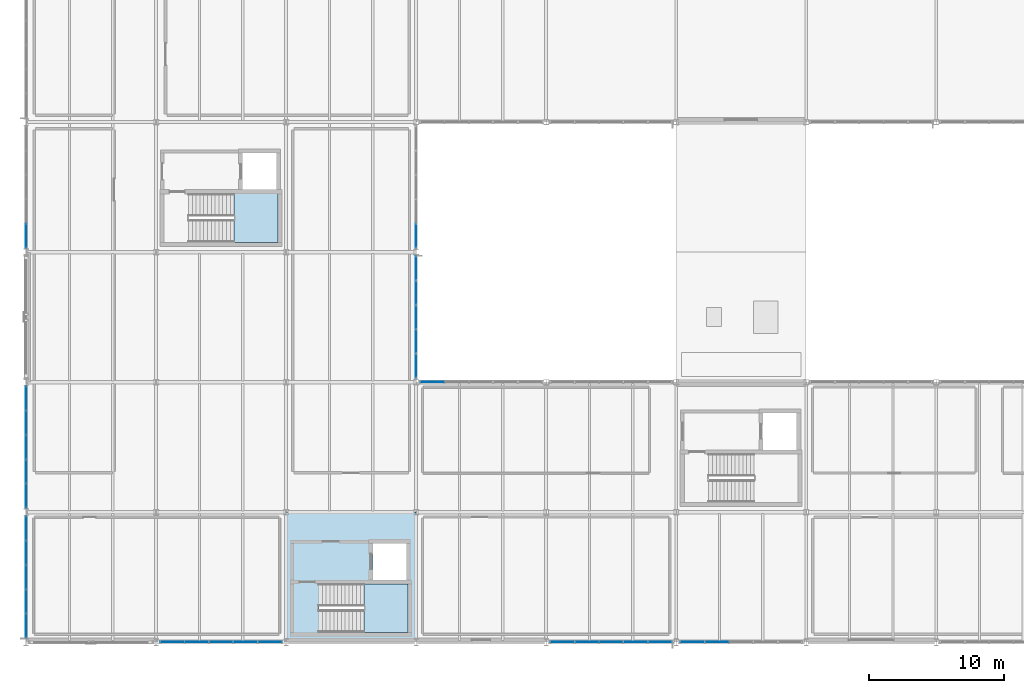
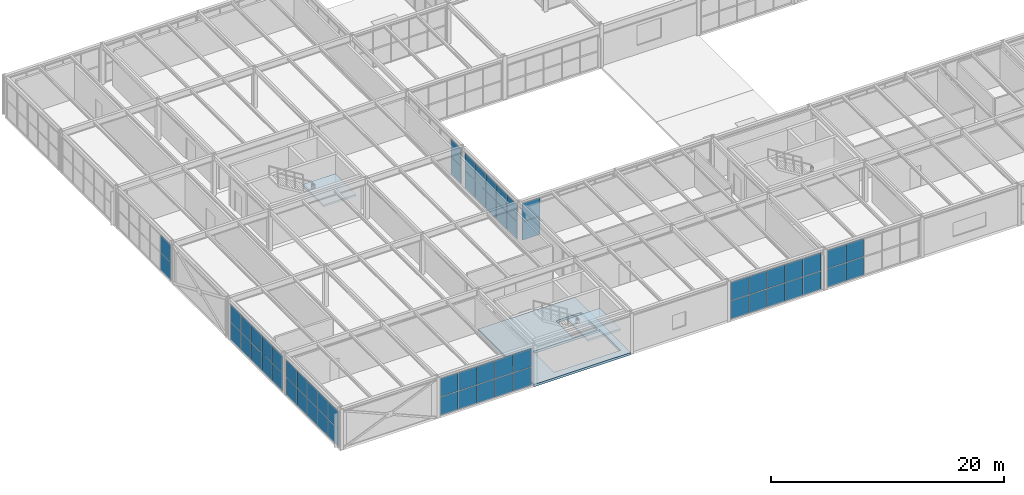
# One storey, part 131 of 170: 60 plates, 3 slabs, 11 elements without a shape of their own.
"""IFC4 building model written with IfcOpenShell, lengths in metres."""

import ifcopenshell
import ifcopenshell.guid

model = None  # the IFC model being written
_history = None  # IfcOwnerHistory: only IFC2X3 demands one
_inside = {}  # id of a spatial element -> (the spatial element, [elements in it])
_under = {}  # id of a project, library or spatial element -> (it, [spatial elements below it])
_declared = {}  # id of a project -> (the project, [libraries it declares])
_typed = {}  # id of a type object -> (the type object, [elements of that type])
_made_of = {}  # id of a material, layer set ... -> (it, [elements and type objects made of it])


def new_model(schema):
    """Start an empty IFC model of exactly this schema.

    Asked for "IFC4X3", IfcOpenShell would pick the latest addendum, in which some entities
    have other attributes; the version numbers below select the first issue.
    IFC2X3 requires an IfcOwnerHistory on every rooted entity: one is made here for all.
    """
    global model, _history
    if schema == "IFC4X3":
        model = ifcopenshell.file(schema_version=(4, 3, 0, 0))
    else:
        model = ifcopenshell.file(schema=schema)
    _inside.clear()
    _under.clear()
    _declared.clear()
    _typed.clear()
    _made_of.clear()
    _history = None
    if model.schema == "IFC2X3":
        org = make("IfcOrganization", Name="unknown")
        user = make(
            "IfcPersonAndOrganization",
            ThePerson=make("IfcPerson", FamilyName="unknown"),
            TheOrganization=org,
        )
        app = make(
            "IfcApplication",
            ApplicationDeveloper=org,
            Version="unknown",
            ApplicationFullName="unknown",
            ApplicationIdentifier="unknown",
        )
        _history = make(
            "IfcOwnerHistory",
            OwningUser=user,
            OwningApplication=app,
            ChangeAction="ADDED",
            CreationDate=0,
        )
    return model


def make(cls, **values):
    """One entity of the class cls with the attributes given. An attribute that is None is left unset."""
    return model.create_entity(
        cls, **{name: value for name, value in values.items() if value is not None}
    )


def rooted(cls, **values):
    """An entity with a GlobalId (a new one), such as an element, a storey or a relation."""
    return make(cls, GlobalId=ifcopenshell.guid.new(), OwnerHistory=_history, **values)


def si_unit(unit_type, name, prefix=None):
    """IfcSIUnit, for example si_unit("LENGTHUNIT", "METRE", prefix="MILLI")."""
    return make("IfcSIUnit", UnitType=unit_type, Prefix=prefix, Name=name)


def assignment(units):
    """IfcUnitAssignment: the units of a project."""
    return None if units is None else make("IfcUnitAssignment", Units=units)


def point(xyz):
    """IfcCartesianPoint."""
    return None if xyz is None else make("IfcCartesianPoint", Coordinates=xyz)


def direction(xyz):
    """IfcDirection."""
    return None if xyz is None else make("IfcDirection", DirectionRatios=xyz)


def frame(location, z_axis=None, x_axis=None):
    """IfcAxis2Placement3D, a coordinate frame: its origin and axes. An axis left out is left unset."""
    return make(
        "IfcAxis2Placement3D",
        Location=point(location),
        Axis=direction(z_axis),
        RefDirection=direction(x_axis),
    )


def frame_2d(location, x_axis=None):
    """IfcAxis2Placement2D, a coordinate frame in the plane: its origin and x axis."""
    return make(
        "IfcAxis2Placement2D", Location=point(location), RefDirection=direction(x_axis)
    )


def origin():
    """The frame at (0, 0, 0) with its axes left unset."""
    return frame((0.0, 0.0, 0.0))


def origin_2d():
    """The frame at (0, 0) in the plane with its x axis left unset."""
    return frame_2d((0.0, 0.0))


def place(relative_to, where):
    """IfcLocalPlacement: puts the frame where relative to a parent placement (None: the world)."""
    return make(
        "IfcLocalPlacement", PlacementRelTo=relative_to, RelativePlacement=where
    )


def context(
    kind, dimensions, precision=None, world=None, true_north=None, identifier=None
):
    """IfcGeometricRepresentationContext, for example the 3D "Model" context."""
    return make(
        "IfcGeometricRepresentationContext",
        ContextIdentifier=identifier,
        ContextType=kind,
        CoordinateSpaceDimension=dimensions,
        Precision=precision,
        WorldCoordinateSystem=world,
        TrueNorth=true_north,
    )


def subcontext(parent, identifier, kind, view, scale=None):
    """IfcGeometricRepresentationSubContext, for example "Body" below "Model"."""
    return make(
        "IfcGeometricRepresentationSubContext",
        ContextIdentifier=identifier,
        ContextType=kind,
        ParentContext=parent,
        TargetScale=scale,
        TargetView=view,
    )


def project(units=None, contexts=None):
    """IfcProject with its units and contexts."""
    return rooted(
        "IfcProject",
        Name="project",
        RepresentationContexts=contexts,
        UnitsInContext=assignment(units),
    )


def spatial(cls, under=None, at=None, **own):
    """A site, building, storey or space (cls), placed at a placement, below another one or the project."""
    s = rooted(cls, ObjectPlacement=at, **own)
    if under is not None:
        _under.setdefault(under.id(), (under, []))[1].append(s)
    return s


def polyline(points):
    """IfcPolyline through the points."""
    return make("IfcPolyline", Points=[point(p) for p in points])


def profile(cls, at=None, kind="AREA", **sizes):
    """A parametric profile (cls). Its sizes go by their IFC names, for example OverallWidth=200.0."""
    return make(cls, ProfileType=kind, Position=at, **sizes)


def rectangle(**sizes):
    """IfcRectangleProfileDef."""
    return profile("IfcRectangleProfileDef", **sizes)


def outline(outer, holes=None, kind="AREA"):
    """IfcArbitraryClosedProfileDef: a profile drawn as a closed curve; with holes, ...WithVoids."""
    if holes is None:
        return make("IfcArbitraryClosedProfileDef", ProfileType=kind, OuterCurve=outer)
    return make(
        "IfcArbitraryProfileDefWithVoids",
        ProfileType=kind,
        OuterCurve=outer,
        InnerCurves=holes,
    )


def extrude(swept, where, along, depth):
    """IfcExtrudedAreaSolid: the profile swept, set in the frame where, extruded along a direction by depth."""
    return make(
        "IfcExtrudedAreaSolid",
        SweptArea=swept,
        Position=where,
        ExtrudedDirection=direction(along),
        Depth=depth,
    )


def shape(context_of_items, identifier, shape_type, items):
    """IfcShapeRepresentation: the items that make up one representation, for example the "Body"."""
    return make(
        "IfcShapeRepresentation",
        ContextOfItems=context_of_items,
        RepresentationIdentifier=identifier,
        RepresentationType=shape_type,
        Items=items,
    )


def material(Name=None, Category=None):
    """IfcMaterial."""
    return make("IfcMaterial", Name=Name, Category=Category)


def layer(
    of_material, thickness, ventilated=None, Name=None, Category=None, Priority=None
):
    """IfcMaterialLayer: one layer of a wall or slab, of a material (None: an air gap)."""
    return make(
        "IfcMaterialLayer",
        Material=of_material,
        LayerThickness=thickness,
        IsVentilated=ventilated,
        Name=Name,
        Category=Category,
        Priority=Priority,
    )


def layer_set(layers, Name=None):
    """IfcMaterialLayerSet."""
    return make("IfcMaterialLayerSet", MaterialLayers=layers, LayerSetName=Name)


def made_of(thing, what):
    """Note that an element or type object is made of a material, layer set ...; save() writes the relation."""
    if what is not None:
        _made_of.setdefault(what.id(), (what, []))[1].append(thing)
    return thing


def type_object(cls, material=None, **own):
    """A type object (cls), such as IfcWallType, which elements share."""
    return made_of(rooted(cls, **own), material)


def element(
    cls,
    number,
    at=None,
    inside=None,
    cuts=None,
    type_object=None,
    material=None,
    context=None,
    identifier="Body",
    shape_type=None,
    held_by="IfcProductDefinitionShape",
    body=None,
    shapes=None,
    **own,
):
    """One element of the class cls, such as IfcWall. Its Tag is "e" and its number.

    at: its placement. inside: the storey or other place that contains it. cuts: it is an
    opening in that element (IfcRelVoidsElement). A single representation is given by context,
    identifier, shape_type and body (its items); several are given by shapes. held_by: the class
    of the entity that holds the representations. save() writes the other relations.
    """
    e = rooted(cls, Tag="e%d" % number, ObjectPlacement=at, **own)
    if body is not None:
        shapes = [shape(context, identifier, shape_type, body)]
    if shapes is not None:
        e.Representation = make(held_by, Representations=shapes)
    if inside is not None:
        _inside.setdefault(inside.id(), (inside, []))[1].append(e)
    if cuts is not None:
        rooted(
            "IfcRelVoidsElement", RelatingBuildingElement=cuts, RelatedOpeningElement=e
        )
    if type_object is not None:
        _typed.setdefault(type_object.id(), (type_object, []))[1].append(e)
    return made_of(e, material)


def aggregate(whole, parts):
    """IfcRelAggregates: a whole, such as a stair, and the parts it consists of."""
    return rooted("IfcRelAggregates", RelatingObject=whole, RelatedObjects=parts)


def save(model, path):
    """Write the relations noted so far, then the file.

    IfcRelAggregates (storeys below a building ...), IfcRelContainedInSpatialStructure (elements
    in a storey), IfcRelDefinesByType, IfcRelAssociatesMaterial and IfcRelDeclares: one each for
    every whole, place, type object, material and project.
    """
    for whole, parts in _under.values():
        aggregate(whole, parts)
    for where, things in _inside.values():
        rooted(
            "IfcRelContainedInSpatialStructure",
            RelatedElements=things,
            RelatingStructure=where,
        )
    for kind, things in _typed.values():
        rooted("IfcRelDefinesByType", RelatedObjects=things, RelatingType=kind)
    for what, things in _made_of.values():
        rooted("IfcRelAssociatesMaterial", RelatedObjects=things, RelatingMaterial=what)
    for by, libraries in _declared.values():
        rooted("IfcRelDeclares", RelatingContext=by, RelatedDefinitions=libraries)
    model.write(path)


model = new_model("IFC4")

# Units and contexts
model_context = context("Model", 3, precision=1e-05, world=origin(), true_north=direction((0.0, 1.0)))
body_context = subcontext(model_context, "Body", "Model", "MODEL_VIEW")
ifc_project = project(units=[si_unit("LENGTHUNIT", "METRE"), si_unit("AREAUNIT", "SQUARE_METRE"), si_unit("VOLUMEUNIT", "CUBIC_METRE"), si_unit("PLANEANGLEUNIT", "RADIAN"), si_unit("MASSUNIT", "GRAM", prefix="KILO")], contexts=[model_context])

# Site, building, storey
site_placement = place(None, origin())
site = spatial("IfcSite", under=ifc_project, at=site_placement, CompositionType="ELEMENT")
building_placement = place(site_placement, origin())
building = spatial("IfcBuilding", under=site, at=building_placement, Name="Coralgate Yard Interchange", CompositionType="ELEMENT")
storey_placement = place(building_placement, frame((0.0, 0.0, 6.0)))
storey = spatial("IfcBuildingStorey", under=building, at=storey_placement, Name="L01", CompositionType="ELEMENT", Elevation=6.0)

# Curtain wall, plates
ifc_material_1 = material(Name="Anodised coastal aluminium and solar-control low-E glass", Category="aluminium")
curtain_wall_type_1 = type_object("IfcCurtainWallType", Name="CW-CW-L01-B", PredefinedType="NOTDEFINED", material=ifc_material_1)
curtain_wall_1_placement = place(storey_placement, origin())
curtain_wall_1 = element("IfcCurtainWall", 1, at=curtain_wall_1_placement, inside=storey, type_object=curtain_wall_type_1, Name="L01 unitised curtain wall CW-L01-W-00-00", PredefinedType="NOTDEFINED")
ifc_material_2 = material(Name="Solar-control double-glazed low-E glass unit", Category="glass")
ifc_layer_1 = layer(ifc_material_2, 0.031982421875)
ifc_layer_set_1 = layer_set([ifc_layer_1], Name="Solar-control double-glazed low-E glass unit")
plate_type = type_object("IfcPlateType", Name="PLT-CP-32", PredefinedType="CURTAIN_PANEL", material=ifc_layer_set_1)
plate_1_placement = place(storey_placement, frame((0.0, 1.199951171875, 0.02490234375), z_axis=(0.0, 0.0, 1.0), x_axis=(0.0, 1.0, 0.0)))
plate_1 = element("IfcPlate", 2, at=plate_1_placement, type_object=plate_type, Name="CW-L01-W-00-00 solar-control glazing panel 1-1", PredefinedType="CURTAIN_PANEL", context=body_context, shape_type="SweptSolid", body=[
    extrude(rectangle(XDim=1.75, YDim=0.031982421875, at=origin_2d()), origin(), (0.0, 0.0, 1.0), 1.808349609375),
])
plate_2_placement = place(storey_placement, frame((0.0, 1.199951171875, 1.88330078125), z_axis=(0.0, 0.0, 1.0), x_axis=(0.0, 1.0, 0.0)))
plate_2 = element("IfcPlate", 3, at=plate_2_placement, type_object=plate_type, Name="CW-L01-W-00-00 solar-control glazing panel 1-2", PredefinedType="CURTAIN_PANEL", context=body_context, shape_type="SweptSolid", body=[
    extrude(rectangle(XDim=1.75, YDim=0.031982421875, at=origin_2d()), origin(), (0.0, 0.0, 1.0), 1.808349609375),
])
plate_3_placement = place(storey_placement, frame((0.0, 3.0, 0.02490234375), z_axis=(0.0, 0.0, 1.0), x_axis=(0.0, 1.0, 0.0)))
plate_3 = element("IfcPlate", 4, at=plate_3_placement, type_object=plate_type, Name="CW-L01-W-00-00 solar-control glazing panel 2-1", PredefinedType="CURTAIN_PANEL", context=body_context, shape_type="SweptSolid", body=[
    extrude(rectangle(XDim=1.75, YDim=0.031982421875, at=origin_2d()), origin(), (0.0, 0.0, 1.0), 1.808349609375),
])
plate_4_placement = place(storey_placement, frame((0.0, 3.0, 1.88330078125), z_axis=(0.0, 0.0, 1.0), x_axis=(0.0, 1.0, 0.0)))
plate_4 = element("IfcPlate", 5, at=plate_4_placement, type_object=plate_type, Name="CW-L01-W-00-00 solar-control glazing panel 2-2", PredefinedType="CURTAIN_PANEL", context=body_context, shape_type="SweptSolid", body=[
    extrude(rectangle(XDim=1.75, YDim=0.031982421875, at=origin_2d()), origin(), (0.0, 0.0, 1.0), 1.808349609375),
])
plate_5_placement = place(storey_placement, frame((0.0, 4.800048828125, 0.02490234375), z_axis=(0.0, 0.0, 1.0), x_axis=(0.0, 1.0, 0.0)))
plate_5 = element("IfcPlate", 6, at=plate_5_placement, type_object=plate_type, Name="CW-L01-W-00-00 solar-control glazing panel 3-1", PredefinedType="CURTAIN_PANEL", context=body_context, shape_type="SweptSolid", body=[
    extrude(rectangle(XDim=1.75, YDim=0.031982421875, at=origin_2d()), origin(), (0.0, 0.0, 1.0), 1.808349609375),
])
plate_6_placement = place(storey_placement, frame((0.0, 4.800048828125, 1.88330078125), z_axis=(0.0, 0.0, 1.0), x_axis=(0.0, 1.0, 0.0)))
plate_6 = element("IfcPlate", 7, at=plate_6_placement, type_object=plate_type, Name="CW-L01-W-00-00 solar-control glazing panel 3-2", PredefinedType="CURTAIN_PANEL", context=body_context, shape_type="SweptSolid", body=[
    extrude(rectangle(XDim=1.75, YDim=0.031982421875, at=origin_2d()), origin(), (0.0, 0.0, 1.0), 1.808349609375),
])
plate_7_placement = place(storey_placement, frame((0.0, 6.60009765625, 0.02490234375), z_axis=(0.0, 0.0, 1.0), x_axis=(0.0, 1.0, 0.0)))
plate_7 = element("IfcPlate", 8, at=plate_7_placement, type_object=plate_type, Name="CW-L01-W-00-00 solar-control glazing panel 4-1", PredefinedType="CURTAIN_PANEL", context=body_context, shape_type="SweptSolid", body=[
    extrude(rectangle(XDim=1.75, YDim=0.031982421875, at=origin_2d()), origin(), (0.0, 0.0, 1.0), 1.808349609375),
])
plate_8_placement = place(storey_placement, frame((0.0, 6.60009765625, 1.88330078125), z_axis=(0.0, 0.0, 1.0), x_axis=(0.0, 1.0, 0.0)))
plate_8 = element("IfcPlate", 9, at=plate_8_placement, type_object=plate_type, Name="CW-L01-W-00-00 solar-control glazing panel 4-2", PredefinedType="CURTAIN_PANEL", context=body_context, shape_type="SweptSolid", body=[
    extrude(rectangle(XDim=1.75, YDim=0.031982421875, at=origin_2d()), origin(), (0.0, 0.0, 1.0), 1.808349609375),
])
plate_9_placement = place(storey_placement, frame((0.0, 8.39990234375, 0.02490234375), z_axis=(0.0, 0.0, 1.0), x_axis=(0.0, 1.0, 0.0)))
plate_9 = element("IfcPlate", 10, at=plate_9_placement, type_object=plate_type, Name="CW-L01-W-00-00 solar-control glazing panel 5-1", PredefinedType="CURTAIN_PANEL", context=body_context, shape_type="SweptSolid", body=[
    extrude(rectangle(XDim=1.75, YDim=0.031982421875, at=origin_2d()), origin(), (0.0, 0.0, 1.0), 1.808349609375),
])
plate_10_placement = place(storey_placement, frame((0.0, 8.39990234375, 1.88330078125), z_axis=(0.0, 0.0, 1.0), x_axis=(0.0, 1.0, 0.0)))
plate_10 = element("IfcPlate", 11, at=plate_10_placement, type_object=plate_type, Name="CW-L01-W-00-00 solar-control glazing panel 5-2", PredefinedType="CURTAIN_PANEL", context=body_context, shape_type="SweptSolid", body=[
    extrude(rectangle(XDim=1.75, YDim=0.031982421875, at=origin_2d()), origin(), (0.0, 0.0, 1.0), 1.808349609375),
])
aggregate(curtain_wall_1, [plate_1, plate_2, plate_3, plate_4, plate_5, plate_6, plate_7, plate_8, plate_9, plate_10])

curtain_wall_type_2 = type_object("IfcCurtainWallType", Name="CW-CW-L01-A", PredefinedType="NOTDEFINED", material=ifc_material_1)
curtain_wall_2_placement = place(storey_placement, origin())
curtain_wall_2 = element("IfcCurtainWall", 12, at=curtain_wall_2_placement, inside=storey, type_object=curtain_wall_type_2, Name="L01 unitised curtain wall CW-L01-W-00-01", PredefinedType="NOTDEFINED")
plate_11_placement = place(storey_placement, frame((0.0, 10.800048828125, 0.02490234375), z_axis=(0.0, 0.0, 1.0), x_axis=(0.0, 1.0, 0.0)))
plate_11 = element("IfcPlate", 13, at=plate_11_placement, type_object=plate_type, Name="CW-L01-W-00-01 solar-control glazing panel 1-1", PredefinedType="CURTAIN_PANEL", context=body_context, shape_type="SweptSolid", body=[
    extrude(rectangle(XDim=1.75, YDim=0.031982421875, at=origin_2d()), origin(), (0.0, 0.0, 1.0), 1.808349609375),
])
plate_12_placement = place(storey_placement, frame((0.0, 10.800048828125, 1.88330078125), z_axis=(0.0, 0.0, 1.0), x_axis=(0.0, 1.0, 0.0)))
plate_12 = element("IfcPlate", 14, at=plate_12_placement, type_object=plate_type, Name="CW-L01-W-00-01 solar-control glazing panel 1-2", PredefinedType="CURTAIN_PANEL", context=body_context, shape_type="SweptSolid", body=[
    extrude(rectangle(XDim=1.75, YDim=0.031982421875, at=origin_2d()), origin(), (0.0, 0.0, 1.0), 1.808349609375),
])
plate_13_placement = place(storey_placement, frame((0.0, 12.60009765625, 0.02490234375), z_axis=(0.0, 0.0, 1.0), x_axis=(0.0, 1.0, 0.0)))
plate_13 = element("IfcPlate", 15, at=plate_13_placement, type_object=plate_type, Name="CW-L01-W-00-01 solar-control glazing panel 2-1", PredefinedType="CURTAIN_PANEL", context=body_context, shape_type="SweptSolid", body=[
    extrude(rectangle(XDim=1.75, YDim=0.031982421875, at=origin_2d()), origin(), (0.0, 0.0, 1.0), 1.808349609375),
])
plate_14_placement = place(storey_placement, frame((0.0, 12.60009765625, 1.88330078125), z_axis=(0.0, 0.0, 1.0), x_axis=(0.0, 1.0, 0.0)))
plate_14 = element("IfcPlate", 16, at=plate_14_placement, type_object=plate_type, Name="CW-L01-W-00-01 solar-control glazing panel 2-2", PredefinedType="CURTAIN_PANEL", context=body_context, shape_type="SweptSolid", body=[
    extrude(rectangle(XDim=1.75, YDim=0.031982421875, at=origin_2d()), origin(), (0.0, 0.0, 1.0), 1.808349609375),
])
plate_15_placement = place(storey_placement, frame((0.0, 14.39990234375, 0.02490234375), z_axis=(0.0, 0.0, 1.0), x_axis=(0.0, 1.0, 0.0)))
plate_15 = element("IfcPlate", 17, at=plate_15_placement, type_object=plate_type, Name="CW-L01-W-00-01 solar-control glazing panel 3-1", PredefinedType="CURTAIN_PANEL", context=body_context, shape_type="SweptSolid", body=[
    extrude(rectangle(XDim=1.75, YDim=0.031982421875, at=origin_2d()), origin(), (0.0, 0.0, 1.0), 1.808349609375),
])
plate_16_placement = place(storey_placement, frame((0.0, 14.39990234375, 1.88330078125), z_axis=(0.0, 0.0, 1.0), x_axis=(0.0, 1.0, 0.0)))
plate_16 = element("IfcPlate", 18, at=plate_16_placement, type_object=plate_type, Name="CW-L01-W-00-01 solar-control glazing panel 3-2", PredefinedType="CURTAIN_PANEL", context=body_context, shape_type="SweptSolid", body=[
    extrude(rectangle(XDim=1.75, YDim=0.031982421875, at=origin_2d()), origin(), (0.0, 0.0, 1.0), 1.808349609375),
])
plate_17_placement = place(storey_placement, frame((0.0, 16.199951171875, 0.02490234375), z_axis=(0.0, 0.0, 1.0), x_axis=(0.0, 1.0, 0.0)))
plate_17 = element("IfcPlate", 19, at=plate_17_placement, type_object=plate_type, Name="CW-L01-W-00-01 solar-control glazing panel 4-1", PredefinedType="CURTAIN_PANEL", context=body_context, shape_type="SweptSolid", body=[
    extrude(rectangle(XDim=1.75, YDim=0.031982421875, at=origin_2d()), origin(), (0.0, 0.0, 1.0), 1.808349609375),
])
plate_18_placement = place(storey_placement, frame((0.0, 16.199951171875, 1.88330078125), z_axis=(0.0, 0.0, 1.0), x_axis=(0.0, 1.0, 0.0)))
plate_18 = element("IfcPlate", 20, at=plate_18_placement, type_object=plate_type, Name="CW-L01-W-00-01 solar-control glazing panel 4-2", PredefinedType="CURTAIN_PANEL", context=body_context, shape_type="SweptSolid", body=[
    extrude(rectangle(XDim=1.75, YDim=0.031982421875, at=origin_2d()), origin(), (0.0, 0.0, 1.0), 1.808349609375),
])
plate_19_placement = place(storey_placement, frame((0.0, 18.0, 0.02490234375), z_axis=(0.0, 0.0, 1.0), x_axis=(0.0, 1.0, 0.0)))
plate_19 = element("IfcPlate", 21, at=plate_19_placement, type_object=plate_type, Name="CW-L01-W-00-01 solar-control glazing panel 5-1", PredefinedType="CURTAIN_PANEL", context=body_context, shape_type="SweptSolid", body=[
    extrude(rectangle(XDim=1.75, YDim=0.031982421875, at=origin_2d()), origin(), (0.0, 0.0, 1.0), 1.808349609375),
])
plate_20_placement = place(storey_placement, frame((0.0, 18.0, 1.88330078125), z_axis=(0.0, 0.0, 1.0), x_axis=(0.0, 1.0, 0.0)))
plate_20 = element("IfcPlate", 22, at=plate_20_placement, type_object=plate_type, Name="CW-L01-W-00-01 solar-control glazing panel 5-2", PredefinedType="CURTAIN_PANEL", context=body_context, shape_type="SweptSolid", body=[
    extrude(rectangle(XDim=1.75, YDim=0.031982421875, at=origin_2d()), origin(), (0.0, 0.0, 1.0), 1.808349609375),
])
aggregate(curtain_wall_2, [plate_11, plate_12, plate_13, plate_14, plate_15, plate_16, plate_17, plate_18, plate_19, plate_20])

curtain_wall_3_placement = place(storey_placement, origin())
curtain_wall_3 = element("IfcCurtainWall", 23, at=curtain_wall_3_placement, inside=storey, type_object=curtain_wall_type_2, Name="L01 unitised curtain wall CW-L01-W-00-03", PredefinedType="NOTDEFINED")
plate_21_placement = place(storey_placement, frame((0.0, 30.0, 0.02490234375), z_axis=(0.0, 0.0, 1.0), x_axis=(0.0, 1.0, 0.0)))
plate_21 = element("IfcPlate", 24, at=plate_21_placement, type_object=plate_type, Name="CW-L01-W-00-03 solar-control glazing panel 1-1", PredefinedType="CURTAIN_PANEL", context=body_context, shape_type="SweptSolid", body=[
    extrude(rectangle(XDim=1.75, YDim=0.031982421875, at=origin_2d()), origin(), (0.0, 0.0, 1.0), 1.808349609375),
])
plate_22_placement = place(storey_placement, frame((0.0, 30.0, 1.88330078125), z_axis=(0.0, 0.0, 1.0), x_axis=(0.0, 1.0, 0.0)))
plate_22 = element("IfcPlate", 25, at=plate_22_placement, type_object=plate_type, Name="CW-L01-W-00-03 solar-control glazing panel 1-2", PredefinedType="CURTAIN_PANEL", context=body_context, shape_type="SweptSolid", body=[
    extrude(rectangle(XDim=1.75, YDim=0.031982421875, at=origin_2d()), origin(), (0.0, 0.0, 1.0), 1.808349609375),
])
aggregate(curtain_wall_3, [plate_21, plate_22])

curtain_wall_4_placement = place(storey_placement, origin())
curtain_wall_4 = element("IfcCurtainWall", 26, at=curtain_wall_4_placement, inside=storey, type_object=curtain_wall_type_2, Name="L01 unitised curtain wall CW-L01-S-01-00", PredefinedType="NOTDEFINED")
plate_23_placement = place(storey_placement, frame((18.0, 0.0, 0.025146484375), z_axis=(0.0, 0.0, 1.0), x_axis=(-1.0, 0.0, 0.0)))
plate_23 = element("IfcPlate", 27, at=plate_23_placement, type_object=plate_type, Name="CW-L01-S-01-00 solar-control glazing panel 1-1", PredefinedType="CURTAIN_PANEL", context=body_context, shape_type="SweptSolid", body=[
    extrude(rectangle(XDim=1.75, YDim=0.031982421875, at=origin_2d()), origin(), (0.0, 0.0, 1.0), 1.89990234375),
])
plate_24_placement = place(storey_placement, frame((18.0, 0.0, 1.97509765625), z_axis=(0.0, 0.0, 1.0), x_axis=(-1.0, 0.0, 0.0)))
plate_24 = element("IfcPlate", 28, at=plate_24_placement, type_object=plate_type, Name="CW-L01-S-01-00 solar-control glazing panel 1-2", PredefinedType="CURTAIN_PANEL", context=body_context, shape_type="SweptSolid", body=[
    extrude(rectangle(XDim=1.75, YDim=0.031982421875, at=origin_2d()), origin(), (0.0, 0.0, 1.0), 1.89990234375),
])
plate_25_placement = place(storey_placement, frame((16.199951171875, 0.0, 0.025146484375), z_axis=(0.0, 0.0, 1.0), x_axis=(-1.0, 0.0, 0.0)))
plate_25 = element("IfcPlate", 29, at=plate_25_placement, type_object=plate_type, Name="CW-L01-S-01-00 solar-control glazing panel 2-1", PredefinedType="CURTAIN_PANEL", context=body_context, shape_type="SweptSolid", body=[
    extrude(rectangle(XDim=1.75, YDim=0.031982421875, at=origin_2d()), origin(), (0.0, 0.0, 1.0), 1.89990234375),
])
plate_26_placement = place(storey_placement, frame((16.199951171875, 0.0, 1.97509765625), z_axis=(0.0, 0.0, 1.0), x_axis=(-1.0, 0.0, 0.0)))
plate_26 = element("IfcPlate", 30, at=plate_26_placement, type_object=plate_type, Name="CW-L01-S-01-00 solar-control glazing panel 2-2", PredefinedType="CURTAIN_PANEL", context=body_context, shape_type="SweptSolid", body=[
    extrude(rectangle(XDim=1.75, YDim=0.031982421875, at=origin_2d()), origin(), (0.0, 0.0, 1.0), 1.89990234375),
])
plate_27_placement = place(storey_placement, frame((14.39990234375, 0.0, 0.025146484375), z_axis=(0.0, 0.0, 1.0), x_axis=(-1.0, 0.0, 0.0)))
plate_27 = element("IfcPlate", 31, at=plate_27_placement, type_object=plate_type, Name="CW-L01-S-01-00 solar-control glazing panel 3-1", PredefinedType="CURTAIN_PANEL", context=body_context, shape_type="SweptSolid", body=[
    extrude(rectangle(XDim=1.75, YDim=0.031982421875, at=origin_2d()), origin(), (0.0, 0.0, 1.0), 1.89990234375),
])
plate_28_placement = place(storey_placement, frame((14.39990234375, 0.0, 1.97509765625), z_axis=(0.0, 0.0, 1.0), x_axis=(-1.0, 0.0, 0.0)))
plate_28 = element("IfcPlate", 32, at=plate_28_placement, type_object=plate_type, Name="CW-L01-S-01-00 solar-control glazing panel 3-2", PredefinedType="CURTAIN_PANEL", context=body_context, shape_type="SweptSolid", body=[
    extrude(rectangle(XDim=1.75, YDim=0.031982421875, at=origin_2d()), origin(), (0.0, 0.0, 1.0), 1.89990234375),
])
plate_29_placement = place(storey_placement, frame((12.60009765625, 0.0, 0.025146484375), z_axis=(0.0, 0.0, 1.0), x_axis=(-1.0, 0.0, 0.0)))
plate_29 = element("IfcPlate", 33, at=plate_29_placement, type_object=plate_type, Name="CW-L01-S-01-00 solar-control glazing panel 4-1", PredefinedType="CURTAIN_PANEL", context=body_context, shape_type="SweptSolid", body=[
    extrude(rectangle(XDim=1.75, YDim=0.031982421875, at=origin_2d()), origin(), (0.0, 0.0, 1.0), 1.89990234375),
])
plate_30_placement = place(storey_placement, frame((12.60009765625, 0.0, 1.97509765625), z_axis=(0.0, 0.0, 1.0), x_axis=(-1.0, 0.0, 0.0)))
plate_30 = element("IfcPlate", 34, at=plate_30_placement, type_object=plate_type, Name="CW-L01-S-01-00 solar-control glazing panel 4-2", PredefinedType="CURTAIN_PANEL", context=body_context, shape_type="SweptSolid", body=[
    extrude(rectangle(XDim=1.75, YDim=0.031982421875, at=origin_2d()), origin(), (0.0, 0.0, 1.0), 1.89990234375),
])
plate_31_placement = place(storey_placement, frame((10.800048828125, 0.0, 0.025146484375), z_axis=(0.0, 0.0, 1.0), x_axis=(-1.0, 0.0, 0.0)))
plate_31 = element("IfcPlate", 35, at=plate_31_placement, type_object=plate_type, Name="CW-L01-S-01-00 solar-control glazing panel 5-1", PredefinedType="CURTAIN_PANEL", context=body_context, shape_type="SweptSolid", body=[
    extrude(rectangle(XDim=1.75, YDim=0.031982421875, at=origin_2d()), origin(), (0.0, 0.0, 1.0), 1.89990234375),
])
plate_32_placement = place(storey_placement, frame((10.800048828125, 0.0, 1.97509765625), z_axis=(0.0, 0.0, 1.0), x_axis=(-1.0, 0.0, 0.0)))
plate_32 = element("IfcPlate", 36, at=plate_32_placement, type_object=plate_type, Name="CW-L01-S-01-00 solar-control glazing panel 5-2", PredefinedType="CURTAIN_PANEL", context=body_context, shape_type="SweptSolid", body=[
    extrude(rectangle(XDim=1.75, YDim=0.031982421875, at=origin_2d()), origin(), (0.0, 0.0, 1.0), 1.89990234375),
])
aggregate(curtain_wall_4, [plate_23, plate_24, plate_25, plate_26, plate_27, plate_28, plate_29, plate_30, plate_31, plate_32])

curtain_wall_5_placement = place(storey_placement, origin())
curtain_wall_5 = element("IfcCurtainWall", 37, at=curtain_wall_5_placement, inside=storey, type_object=curtain_wall_type_1, Name="L01 unitised curtain wall CW-L01-E-02-02", PredefinedType="NOTDEFINED")
plate_33_placement = place(storey_placement, frame((28.800048828125, 27.60009765625, 0.02490234375), z_axis=(0.0, 0.0, 1.0), x_axis=(0.0, -1.0, 0.0)))
plate_33 = element("IfcPlate", 38, at=plate_33_placement, type_object=plate_type, Name="CW-L01-E-02-02 solar-control glazing panel 1-1", PredefinedType="CURTAIN_PANEL", context=body_context, shape_type="SweptSolid", body=[
    extrude(rectangle(XDim=1.75, YDim=0.031982421875, at=origin_2d()), origin(), (0.0, 0.0, 1.0), 1.808349609375),
])
plate_34_placement = place(storey_placement, frame((28.800048828125, 27.60009765625, 1.88330078125), z_axis=(0.0, 0.0, 1.0), x_axis=(0.0, -1.0, 0.0)))
plate_34 = element("IfcPlate", 39, at=plate_34_placement, type_object=plate_type, Name="CW-L01-E-02-02 solar-control glazing panel 1-2", PredefinedType="CURTAIN_PANEL", context=body_context, shape_type="SweptSolid", body=[
    extrude(rectangle(XDim=1.75, YDim=0.031982421875, at=origin_2d()), origin(), (0.0, 0.0, 1.0), 1.808349609375),
])
plate_35_placement = place(storey_placement, frame((28.800048828125, 25.800048828125, 0.02490234375), z_axis=(0.0, 0.0, 1.0), x_axis=(0.0, -1.0, 0.0)))
plate_35 = element("IfcPlate", 40, at=plate_35_placement, type_object=plate_type, Name="CW-L01-E-02-02 solar-control glazing panel 2-1", PredefinedType="CURTAIN_PANEL", context=body_context, shape_type="SweptSolid", body=[
    extrude(rectangle(XDim=1.75, YDim=0.031982421875, at=origin_2d()), origin(), (0.0, 0.0, 1.0), 1.808349609375),
])
plate_36_placement = place(storey_placement, frame((28.800048828125, 25.800048828125, 1.88330078125), z_axis=(0.0, 0.0, 1.0), x_axis=(0.0, -1.0, 0.0)))
plate_36 = element("IfcPlate", 41, at=plate_36_placement, type_object=plate_type, Name="CW-L01-E-02-02 solar-control glazing panel 2-2", PredefinedType="CURTAIN_PANEL", context=body_context, shape_type="SweptSolid", body=[
    extrude(rectangle(XDim=1.75, YDim=0.031982421875, at=origin_2d()), origin(), (0.0, 0.0, 1.0), 1.808349609375),
])
plate_37_placement = place(storey_placement, frame((28.800048828125, 24.0, 0.02490234375), z_axis=(0.0, 0.0, 1.0), x_axis=(0.0, -1.0, 0.0)))
plate_37 = element("IfcPlate", 42, at=plate_37_placement, type_object=plate_type, Name="CW-L01-E-02-02 solar-control glazing panel 3-1", PredefinedType="CURTAIN_PANEL", context=body_context, shape_type="SweptSolid", body=[
    extrude(rectangle(XDim=1.75, YDim=0.031982421875, at=origin_2d()), origin(), (0.0, 0.0, 1.0), 1.808349609375),
])
plate_38_placement = place(storey_placement, frame((28.800048828125, 24.0, 1.88330078125), z_axis=(0.0, 0.0, 1.0), x_axis=(0.0, -1.0, 0.0)))
plate_38 = element("IfcPlate", 43, at=plate_38_placement, type_object=plate_type, Name="CW-L01-E-02-02 solar-control glazing panel 3-2", PredefinedType="CURTAIN_PANEL", context=body_context, shape_type="SweptSolid", body=[
    extrude(rectangle(XDim=1.75, YDim=0.031982421875, at=origin_2d()), origin(), (0.0, 0.0, 1.0), 1.808349609375),
])
plate_39_placement = place(storey_placement, frame((28.800048828125, 22.199951171875, 0.02490234375), z_axis=(0.0, 0.0, 1.0), x_axis=(0.0, -1.0, 0.0)))
plate_39 = element("IfcPlate", 44, at=plate_39_placement, type_object=plate_type, Name="CW-L01-E-02-02 solar-control glazing panel 4-1", PredefinedType="CURTAIN_PANEL", context=body_context, shape_type="SweptSolid", body=[
    extrude(rectangle(XDim=1.75, YDim=0.031982421875, at=origin_2d()), origin(), (0.0, 0.0, 1.0), 1.808349609375),
])
plate_40_placement = place(storey_placement, frame((28.800048828125, 22.199951171875, 1.88330078125), z_axis=(0.0, 0.0, 1.0), x_axis=(0.0, -1.0, 0.0)))
plate_40 = element("IfcPlate", 45, at=plate_40_placement, type_object=plate_type, Name="CW-L01-E-02-02 solar-control glazing panel 4-2", PredefinedType="CURTAIN_PANEL", context=body_context, shape_type="SweptSolid", body=[
    extrude(rectangle(XDim=1.75, YDim=0.031982421875, at=origin_2d()), origin(), (0.0, 0.0, 1.0), 1.808349609375),
])
plate_41_placement = place(storey_placement, frame((28.800048828125, 20.39990234375, 0.02490234375), z_axis=(0.0, 0.0, 1.0), x_axis=(0.0, -1.0, 0.0)))
plate_41 = element("IfcPlate", 46, at=plate_41_placement, type_object=plate_type, Name="CW-L01-E-02-02 solar-control glazing panel 5-1", PredefinedType="CURTAIN_PANEL", context=body_context, shape_type="SweptSolid", body=[
    extrude(rectangle(XDim=1.75, YDim=0.031982421875, at=origin_2d()), origin(), (0.0, 0.0, 1.0), 1.808349609375),
])
plate_42_placement = place(storey_placement, frame((28.800048828125, 20.39990234375, 1.88330078125), z_axis=(0.0, 0.0, 1.0), x_axis=(0.0, -1.0, 0.0)))
plate_42 = element("IfcPlate", 47, at=plate_42_placement, type_object=plate_type, Name="CW-L01-E-02-02 solar-control glazing panel 5-2", PredefinedType="CURTAIN_PANEL", context=body_context, shape_type="SweptSolid", body=[
    extrude(rectangle(XDim=1.75, YDim=0.031982421875, at=origin_2d()), origin(), (0.0, 0.0, 1.0), 1.808349609375),
])
aggregate(curtain_wall_5, [plate_33, plate_34, plate_35, plate_36, plate_37, plate_38, plate_39, plate_40, plate_41, plate_42])

curtain_wall_6_placement = place(storey_placement, origin())
curtain_wall_6 = element("IfcCurtainWall", 48, at=curtain_wall_6_placement, inside=storey, type_object=curtain_wall_type_2, Name="L01 unitised curtain wall CW-L01-E-02-03", PredefinedType="NOTDEFINED")
plate_43_placement = place(storey_placement, frame((28.800048828125, 30.0, 0.02490234375), z_axis=(0.0, 0.0, 1.0), x_axis=(0.0, -1.0, 0.0)))
plate_43 = element("IfcPlate", 49, at=plate_43_placement, type_object=plate_type, Name="CW-L01-E-02-03 solar-control glazing panel 5-1", PredefinedType="CURTAIN_PANEL", context=body_context, shape_type="SweptSolid", body=[
    extrude(rectangle(XDim=1.75, YDim=0.031982421875, at=origin_2d()), origin(), (0.0, 0.0, 1.0), 1.808349609375),
])
plate_44_placement = place(storey_placement, frame((28.800048828125, 30.0, 1.88330078125), z_axis=(0.0, 0.0, 1.0), x_axis=(0.0, -1.0, 0.0)))
plate_44 = element("IfcPlate", 50, at=plate_44_placement, type_object=plate_type, Name="CW-L01-E-02-03 solar-control glazing panel 5-2", PredefinedType="CURTAIN_PANEL", context=body_context, shape_type="SweptSolid", body=[
    extrude(rectangle(XDim=1.75, YDim=0.031982421875, at=origin_2d()), origin(), (0.0, 0.0, 1.0), 1.808349609375),
])
aggregate(curtain_wall_6, [plate_43, plate_44])

curtain_wall_7_placement = place(storey_placement, origin())
curtain_wall_7 = element("IfcCurtainWall", 51, at=curtain_wall_7_placement, inside=storey, type_object=curtain_wall_type_2, Name="L01 unitised curtain wall CW-L01-N-03-01", PredefinedType="NOTDEFINED")
plate_45_placement = place(storey_placement, frame((30.0, 19.199951171875, 0.025146484375), z_axis=(0.0, 0.0, 1.0), x_axis=(1.0, 0.0, 0.0)))
plate_45 = element("IfcPlate", 52, at=plate_45_placement, type_object=plate_type, Name="CW-L01-N-03-01 solar-control glazing panel 1-1", PredefinedType="CURTAIN_PANEL", context=body_context, shape_type="SweptSolid", body=[
    extrude(rectangle(XDim=1.75, YDim=0.031982421875, at=origin_2d()), origin(), (0.0, 0.0, 1.0), 1.89990234375),
])
plate_46_placement = place(storey_placement, frame((30.0, 19.199951171875, 1.97509765625), z_axis=(0.0, 0.0, 1.0), x_axis=(1.0, 0.0, 0.0)))
plate_46 = element("IfcPlate", 53, at=plate_46_placement, type_object=plate_type, Name="CW-L01-N-03-01 solar-control glazing panel 1-2", PredefinedType="CURTAIN_PANEL", context=body_context, shape_type="SweptSolid", body=[
    extrude(rectangle(XDim=1.75, YDim=0.031982421875, at=origin_2d()), origin(), (0.0, 0.0, 1.0), 1.89990234375),
])
aggregate(curtain_wall_7, [plate_45, plate_46])

curtain_wall_8_placement = place(storey_placement, origin())
curtain_wall_8 = element("IfcCurtainWall", 54, at=curtain_wall_8_placement, inside=storey, type_object=curtain_wall_type_1, Name="L01 unitised curtain wall CW-L01-S-04-00", PredefinedType="NOTDEFINED")
plate_47_placement = place(storey_placement, frame((46.800048828125, 0.0, 0.025146484375), z_axis=(0.0, 0.0, 1.0), x_axis=(-1.0, 0.0, 0.0)))
plate_47 = element("IfcPlate", 55, at=plate_47_placement, type_object=plate_type, Name="CW-L01-S-04-00 solar-control glazing panel 1-1", PredefinedType="CURTAIN_PANEL", context=body_context, shape_type="SweptSolid", body=[
    extrude(rectangle(XDim=1.75, YDim=0.031982421875, at=origin_2d()), origin(), (0.0, 0.0, 1.0), 1.89990234375),
])
plate_48_placement = place(storey_placement, frame((46.800048828125, 0.0, 1.97509765625), z_axis=(0.0, 0.0, 1.0), x_axis=(-1.0, 0.0, 0.0)))
plate_48 = element("IfcPlate", 56, at=plate_48_placement, type_object=plate_type, Name="CW-L01-S-04-00 solar-control glazing panel 1-2", PredefinedType="CURTAIN_PANEL", context=body_context, shape_type="SweptSolid", body=[
    extrude(rectangle(XDim=1.75, YDim=0.031982421875, at=origin_2d()), origin(), (0.0, 0.0, 1.0), 1.89990234375),
])
plate_49_placement = place(storey_placement, frame((45.0, 0.0, 0.025146484375), z_axis=(0.0, 0.0, 1.0), x_axis=(-1.0, 0.0, 0.0)))
plate_49 = element("IfcPlate", 57, at=plate_49_placement, type_object=plate_type, Name="CW-L01-S-04-00 solar-control glazing panel 2-1", PredefinedType="CURTAIN_PANEL", context=body_context, shape_type="SweptSolid", body=[
    extrude(rectangle(XDim=1.75, YDim=0.031982421875, at=origin_2d()), origin(), (0.0, 0.0, 1.0), 1.89990234375),
])
plate_50_placement = place(storey_placement, frame((45.0, 0.0, 1.97509765625), z_axis=(0.0, 0.0, 1.0), x_axis=(-1.0, 0.0, 0.0)))
plate_50 = element("IfcPlate", 58, at=plate_50_placement, type_object=plate_type, Name="CW-L01-S-04-00 solar-control glazing panel 2-2", PredefinedType="CURTAIN_PANEL", context=body_context, shape_type="SweptSolid", body=[
    extrude(rectangle(XDim=1.75, YDim=0.031982421875, at=origin_2d()), origin(), (0.0, 0.0, 1.0), 1.89990234375),
])
plate_51_placement = place(storey_placement, frame((43.199951171875, 0.0, 0.025146484375), z_axis=(0.0, 0.0, 1.0), x_axis=(-1.0, 0.0, 0.0)))
plate_51 = element("IfcPlate", 59, at=plate_51_placement, type_object=plate_type, Name="CW-L01-S-04-00 solar-control glazing panel 3-1", PredefinedType="CURTAIN_PANEL", context=body_context, shape_type="SweptSolid", body=[
    extrude(rectangle(XDim=1.75, YDim=0.031982421875, at=origin_2d()), origin(), (0.0, 0.0, 1.0), 1.89990234375),
])
plate_52_placement = place(storey_placement, frame((43.199951171875, 0.0, 1.97509765625), z_axis=(0.0, 0.0, 1.0), x_axis=(-1.0, 0.0, 0.0)))
plate_52 = element("IfcPlate", 60, at=plate_52_placement, type_object=plate_type, Name="CW-L01-S-04-00 solar-control glazing panel 3-2", PredefinedType="CURTAIN_PANEL", context=body_context, shape_type="SweptSolid", body=[
    extrude(rectangle(XDim=1.75, YDim=0.031982421875, at=origin_2d()), origin(), (0.0, 0.0, 1.0), 1.89990234375),
])
plate_53_placement = place(storey_placement, frame((41.39990234375, 0.0, 0.025146484375), z_axis=(0.0, 0.0, 1.0), x_axis=(-1.0, 0.0, 0.0)))
plate_53 = element("IfcPlate", 61, at=plate_53_placement, type_object=plate_type, Name="CW-L01-S-04-00 solar-control glazing panel 4-1", PredefinedType="CURTAIN_PANEL", context=body_context, shape_type="SweptSolid", body=[
    extrude(rectangle(XDim=1.75, YDim=0.031982421875, at=origin_2d()), origin(), (0.0, 0.0, 1.0), 1.89990234375),
])
plate_54_placement = place(storey_placement, frame((41.39990234375, 0.0, 1.97509765625), z_axis=(0.0, 0.0, 1.0), x_axis=(-1.0, 0.0, 0.0)))
plate_54 = element("IfcPlate", 62, at=plate_54_placement, type_object=plate_type, Name="CW-L01-S-04-00 solar-control glazing panel 4-2", PredefinedType="CURTAIN_PANEL", context=body_context, shape_type="SweptSolid", body=[
    extrude(rectangle(XDim=1.75, YDim=0.031982421875, at=origin_2d()), origin(), (0.0, 0.0, 1.0), 1.89990234375),
])
plate_55_placement = place(storey_placement, frame((39.60009765625, 0.0, 0.025146484375), z_axis=(0.0, 0.0, 1.0), x_axis=(-1.0, 0.0, 0.0)))
plate_55 = element("IfcPlate", 63, at=plate_55_placement, type_object=plate_type, Name="CW-L01-S-04-00 solar-control glazing panel 5-1", PredefinedType="CURTAIN_PANEL", context=body_context, shape_type="SweptSolid", body=[
    extrude(rectangle(XDim=1.75, YDim=0.031982421875, at=origin_2d()), origin(), (0.0, 0.0, 1.0), 1.89990234375),
])
plate_56_placement = place(storey_placement, frame((39.60009765625, 0.0, 1.97509765625), z_axis=(0.0, 0.0, 1.0), x_axis=(-1.0, 0.0, 0.0)))
plate_56 = element("IfcPlate", 64, at=plate_56_placement, type_object=plate_type, Name="CW-L01-S-04-00 solar-control glazing panel 5-2", PredefinedType="CURTAIN_PANEL", context=body_context, shape_type="SweptSolid", body=[
    extrude(rectangle(XDim=1.75, YDim=0.031982421875, at=origin_2d()), origin(), (0.0, 0.0, 1.0), 1.89990234375),
])
aggregate(curtain_wall_8, [plate_47, plate_48, plate_49, plate_50, plate_51, plate_52, plate_53, plate_54, plate_55, plate_56])

curtain_wall_9_placement = place(storey_placement, origin())
curtain_wall_9 = element("IfcCurtainWall", 65, at=curtain_wall_9_placement, inside=storey, type_object=curtain_wall_type_2, Name="L01 unitised curtain wall CW-L01-S-05-00", PredefinedType="NOTDEFINED")
plate_57_placement = place(storey_placement, frame((51.0, 0.0, 0.025146484375), z_axis=(0.0, 0.0, 1.0), x_axis=(-1.0, 0.0, 0.0)))
plate_57 = element("IfcPlate", 66, at=plate_57_placement, type_object=plate_type, Name="CW-L01-S-05-00 solar-control glazing panel 4-1", PredefinedType="CURTAIN_PANEL", context=body_context, shape_type="SweptSolid", body=[
    extrude(rectangle(XDim=1.75, YDim=0.031982421875, at=origin_2d()), origin(), (0.0, 0.0, 1.0), 1.89990234375),
])
plate_58_placement = place(storey_placement, frame((51.0, 0.0, 1.97509765625), z_axis=(0.0, 0.0, 1.0), x_axis=(-1.0, 0.0, 0.0)))
plate_58 = element("IfcPlate", 67, at=plate_58_placement, type_object=plate_type, Name="CW-L01-S-05-00 solar-control glazing panel 4-2", PredefinedType="CURTAIN_PANEL", context=body_context, shape_type="SweptSolid", body=[
    extrude(rectangle(XDim=1.75, YDim=0.031982421875, at=origin_2d()), origin(), (0.0, 0.0, 1.0), 1.89990234375),
])
plate_59_placement = place(storey_placement, frame((49.199951171875, 0.0, 0.025146484375), z_axis=(0.0, 0.0, 1.0), x_axis=(-1.0, 0.0, 0.0)))
plate_59 = element("IfcPlate", 68, at=plate_59_placement, type_object=plate_type, Name="CW-L01-S-05-00 solar-control glazing panel 5-1", PredefinedType="CURTAIN_PANEL", context=body_context, shape_type="SweptSolid", body=[
    extrude(rectangle(XDim=1.75, YDim=0.031982421875, at=origin_2d()), origin(), (0.0, 0.0, 1.0), 1.89990234375),
])
plate_60_placement = place(storey_placement, frame((49.199951171875, 0.0, 1.97509765625), z_axis=(0.0, 0.0, 1.0), x_axis=(-1.0, 0.0, 0.0)))
plate_60 = element("IfcPlate", 69, at=plate_60_placement, type_object=plate_type, Name="CW-L01-S-05-00 solar-control glazing panel 5-2", PredefinedType="CURTAIN_PANEL", context=body_context, shape_type="SweptSolid", body=[
    extrude(rectangle(XDim=1.75, YDim=0.031982421875, at=origin_2d()), origin(), (0.0, 0.0, 1.0), 1.89990234375),
])
aggregate(curtain_wall_9, [plate_57, plate_58, plate_59, plate_60])

# Stair, slab
ifc_material_3 = material(Name="Concrete C40/50", Category="concrete")
stair_type = type_object("IfcStairType", Name="STR-DL-165-45", PredefinedType="HALF_TURN_STAIR", material=ifc_material_3)
stair_1_placement = place(storey_placement, origin())
stair_1 = element("IfcStair", 70, at=stair_1_placement, inside=storey, type_object=stair_type, Name="L01 Escape stair ST-01", PredefinedType="HALF_TURN_STAIR")
ifc_layer_2 = layer(ifc_material_3, 0.199951171875)
ifc_layer_set_2 = layer_set([ifc_layer_2], Name="Concrete C40/50")
slab_type_1 = type_object("IfcSlabType", Name="SLB-LND200", PredefinedType="LANDING", material=ifc_layer_set_2)
slab_1_placement = place(storey_placement, frame((0.0, 0.0, 2.050048828125)))
slab_1 = element("IfcSlab", 71, at=slab_1_placement, type_object=slab_type_1, Name="ST-01 landing 1", PredefinedType="LANDING", context=body_context, shape_type="SweptSolid", body=[
    extrude(outline(polyline([(15.360107421875, 29.52001953125), (18.60009765625, 29.52001953125), (18.60009765625, 33.110107421875), (15.360107421875, 33.110107421875), (15.360107421875, 29.52001953125)])), origin(), (0.0, 0.0, 1.0), 0.199951171875),
])
aggregate(stair_1, [slab_1])

stair_2_placement = place(storey_placement, origin())
stair_2 = element("IfcStair", 72, at=stair_2_placement, inside=storey, type_object=stair_type, Name="L01 Escape stair ST-03", PredefinedType="HALF_TURN_STAIR")
slab_2_placement = place(storey_placement, frame((0.0, 0.0, 2.050048828125)))
slab_2 = element("IfcSlab", 73, at=slab_2_placement, type_object=slab_type_1, Name="ST-03 landing 1", PredefinedType="LANDING", context=body_context, shape_type="SweptSolid", body=[
    extrude(outline(polyline([(24.9599609375, 0.719970703125), (28.199951171875, 0.719970703125), (28.199951171875, 4.31005859375), (24.9599609375, 4.31005859375), (24.9599609375, 0.719970703125)])), origin(), (0.0, 0.0, 1.0), 0.199951171875),
])
aggregate(stair_2, [slab_2])

# Slab
ifc_layer_3 = layer(ifc_material_3, 0.25)
ifc_layer_set_3 = layer_set([ifc_layer_3], Name="Concrete C40/50")
slab_type_2 = type_object("IfcSlabType", Name="SLB-SL-FLR250", PredefinedType="FLOOR", material=ifc_layer_set_3)
slab_3_placement = place(storey_placement, frame((0.0, 0.0, -0.25)))
element("IfcSlab", 74, at=slab_3_placement, inside=storey, type_object=slab_type_2, Name="L01 core C3 structural floor slab", PredefinedType="FLOOR", context=body_context, shape_type="SweptSolid", body=[
    extrude(outline(polyline([(28.800048828125, 9.60009765625), (28.800048828125, 0.0), (19.199951171875, 0.0), (19.199951171875, 9.60009765625), (28.800048828125, 9.60009765625)]), holes=[polyline([(28.199951171875, 4.31005859375), (21.6201171875, 4.31005859375), (21.6201171875, 0.719970703125), (28.199951171875, 0.719970703125), (28.199951171875, 4.31005859375)]), polyline([(28.10009765625, 4.449951171875), (28.10009765625, 7.300048828125), (25.60009765625, 7.300048828125), (25.60009765625, 4.449951171875), (28.10009765625, 4.449951171875)])]), origin(), (0.0, 0.0, 1.0), 0.25),
])

save(model, "model.ifc")
